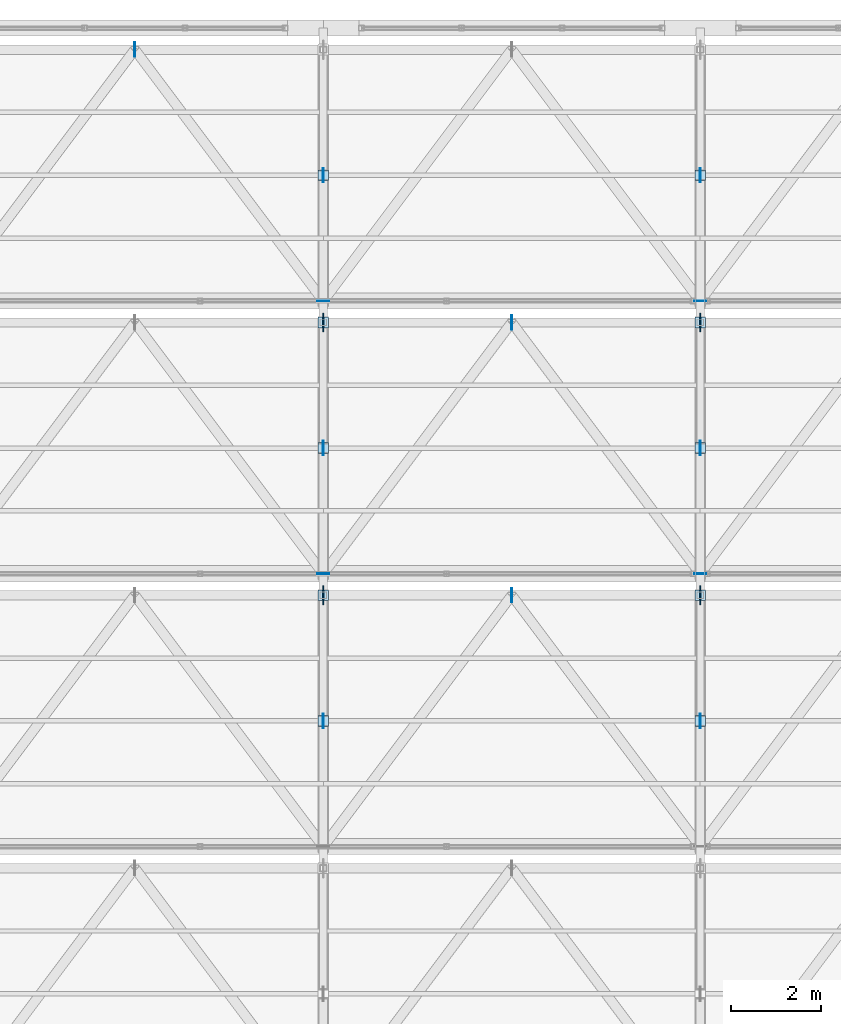
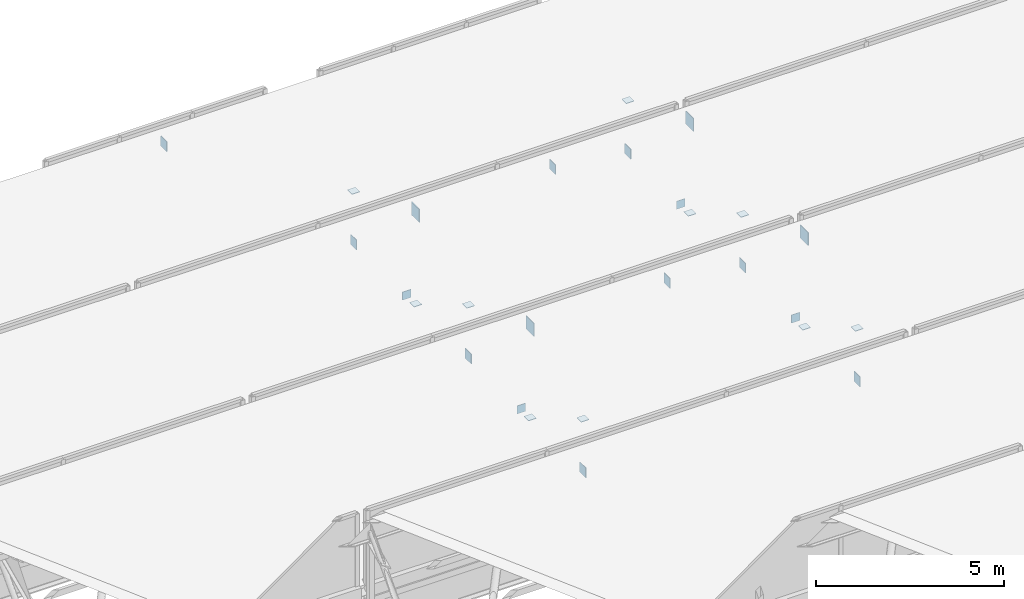
# One storey, part 187 of 217: 27 plates.
"""IFC4 building model written with IfcOpenShell, lengths in metres."""

from ifc_helpers import new_model, si_unit, direction, frame, origin, origin_2d, place, context, subcontext, project, spatial, rectangle, extrude, material, layer, layer_set, type_object, element, save


model = new_model("IFC4")

# Units and contexts
model_context = context("Model", 3, precision=1e-05, world=origin(), true_north=direction((0.0, 1.0)))
body_context = subcontext(model_context, "Body", "Model", "MODEL_VIEW")
ifc_project = project(units=[si_unit("LENGTHUNIT", "METRE"), si_unit("AREAUNIT", "SQUARE_METRE"), si_unit("VOLUMEUNIT", "CUBIC_METRE"), si_unit("PLANEANGLEUNIT", "RADIAN"), si_unit("MASSUNIT", "GRAM", prefix="KILO")], contexts=[model_context])

# Site, building, storey
site_placement = place(None, origin())
site = spatial("IfcSite", under=ifc_project, at=site_placement, CompositionType="ELEMENT")
building_placement = place(site_placement, origin())
building = spatial("IfcBuilding", under=site, at=building_placement, Name="Zuvorla Pavilion Media Centre", CompositionType="ELEMENT")
storey_placement = place(building_placement, frame((0.0, 0.0, 9.60009765625)))
storey = spatial("IfcBuildingStorey", under=building, at=storey_placement, Name="L02", CompositionType="ELEMENT", Elevation=9.60009765625)

# Plates
ifc_material = material(Name="Steel S355", Category="steel")
ifc_layer_1 = layer(ifc_material, 0.01611328125)
ifc_layer_set_1 = layer_set([ifc_layer_1], Name="Steel S355")
plate_type_1 = type_object("IfcPlateType", Name="PLT-CAP-16", PredefinedType="USERDEFINED", material=ifc_layer_set_1)
for number, where, z_axis, x_axis, name in (
    (1, (108.800048828125, 107.840087890625, -1.01025390625), (0.0, 0.0, 1.0), (1.0, 0.0, 0.0), "L02 cap plate CP16 66"),
    (2, (117.199951171875, 107.840087890625, -1.01025390625), (0.0, 0.0, 1.0), (1.0, 0.0, 0.0), "L02 cap plate CP16 68"),
    (3, (108.800048828125, 113.919921875, -1.01025390625), (0.0, 0.0, 1.0), (1.0, 0.0, 0.0), "L02 cap plate CP16 84"),
    (4, (117.199951171875, 113.919921875, -1.01025390625), (0.0, 0.0, 1.0), (1.0, 0.0, 0.0), "L02 cap plate CP16 86"),
):
    element("IfcPlate", number, at=place(storey_placement, frame(where, z_axis=z_axis, x_axis=x_axis)), inside=storey, type_object=plate_type_1, Name=name, ObjectType="CAP_PLATE", PredefinedType="USERDEFINED", context=body_context, shape_type="SweptSolid", body=[
        extrude(rectangle(XDim=0.260009765625, YDim=0.01611328125, at=origin_2d()), origin(), (0.0, 0.0, 1.0), 0.260009765625),
    ])
for number, where, z_axis, x_axis, name in (
    (5, (108.800048828125, 107.360107421875, -0.88818359375), (0.0, 0.0, 1.0), (1.0, 0.0, 0.0), "L02 cap plate CP16 302"),
    (6, (108.800048828125, 104.56005859375, 0.771728515625), (0.0, 0.0, 1.0), (1.0, 0.0, 0.0), "L02 cap plate CP16 304"),
    (7, (117.199951171875, 107.360107421875, -0.88818359375), (0.0, 0.0, 1.0), (1.0, 0.0, 0.0), "L02 cap plate CP16 305"),
    (8, (117.199951171875, 104.56005859375, 0.771728515625), (0.0, 0.0, 1.0), (1.0, 0.0, 0.0), "L02 cap plate CP16 307"),
    (9, (108.800048828125, 113.43994140625, -0.88818359375), (0.0, 0.0, 1.0), (1.0, 0.0, 0.0), "L02 cap plate CP16 337"),
    (10, (108.800048828125, 110.639892578125, 0.771728515625), (0.0, 0.0, 1.0), (1.0, 0.0, 0.0), "L02 cap plate CP16 339"),
    (11, (117.199951171875, 113.43994140625, -0.88818359375), (0.0, 0.0, 1.0), (1.0, 0.0, 0.0), "L02 cap plate CP16 340"),
    (12, (117.199951171875, 110.639892578125, 0.771728515625), (0.0, 0.0, 1.0), (1.0, 0.0, 0.0), "L02 cap plate CP16 342"),
    (13, (108.800048828125, 116.719970703125, 0.771728515625), (0.0, 0.0, 1.0), (1.0, 0.0, 0.0), "L02 cap plate CP16 374"),
    (14, (117.199951171875, 116.719970703125, 0.771728515625), (0.0, 0.0, 1.0), (1.0, 0.0, 0.0), "L02 cap plate CP16 377"),
):
    element("IfcPlate", number, at=place(storey_placement, frame(where, z_axis=z_axis, x_axis=x_axis)), inside=storey, type_object=plate_type_1, Name=name, ObjectType="CAP_PLATE", PredefinedType="USERDEFINED", context=body_context, shape_type="SweptSolid", body=[
        extrude(rectangle(XDim=0.239990234375, YDim=0.239990234375, at=origin_2d()), origin(), (0.0, 0.0, 1.0), 0.01611328125),
    ])
ifc_layer_2 = layer(ifc_material, 0.02001953125)
ifc_layer_set_2 = layer_set([ifc_layer_2], Name="Steel S355")
plate_type_2 = type_object("IfcPlateType", Name="PLT-GUS-20", PredefinedType="USERDEFINED", material=ifc_layer_set_2)
for number, where, z_axis, x_axis, name in (
    (15, (108.800048828125, 104.56005859375, -1.0400390625), (0.0, 0.0, 1.0), (1.0, 0.0, 0.0), "L02 gusset plate GP20 303"),
    (16, (117.199951171875, 104.56005859375, -1.0400390625), (0.0, 0.0, 1.0), (1.0, 0.0, 0.0), "L02 gusset plate GP20 306"),
    (17, (113.0, 107.360107421875, 1.919921875), (0.0, 0.0, 1.0), (1.0, 0.0, 0.0), "L02 gusset plate GP20 319"),
    (18, (108.800048828125, 110.639892578125, -1.0400390625), (0.0, 0.0, 1.0), (1.0, 0.0, 0.0), "L02 gusset plate GP20 338"),
    (19, (117.199951171875, 110.639892578125, -1.0400390625), (0.0, 0.0, 1.0), (1.0, 0.0, 0.0), "L02 gusset plate GP20 341"),
    (20, (113.0, 113.43994140625, 1.919921875), (0.0, 0.0, 1.0), (1.0, 0.0, 0.0), "L02 gusset plate GP20 354"),
    (21, (108.800048828125, 116.719970703125, -1.0400390625), (0.0, 0.0, 1.0), (1.0, 0.0, 0.0), "L02 gusset plate GP20 373"),
    (22, (117.199951171875, 116.719970703125, -1.0400390625), (0.0, 0.0, 1.0), (1.0, 0.0, 0.0), "L02 gusset plate GP20 376"),
    (23, (104.60009765625, 119.52001953125, 1.919921875), (0.0, 0.0, 1.0), (1.0, 0.0, 0.0), "L02 gusset plate GP20 388"),
):
    element("IfcPlate", number, at=place(storey_placement, frame(where, z_axis=z_axis, x_axis=x_axis)), inside=storey, type_object=plate_type_2, Name=name, ObjectType="GUSSET_PLATE", PredefinedType="USERDEFINED", context=body_context, shape_type="SweptSolid", body=[
        extrude(rectangle(XDim=0.02001953125, YDim=0.320068359375, at=origin_2d()), origin(), (0.0, 0.0, 1.0), 0.320068359375),
    ])
ifc_layer_3 = layer(ifc_material, 0.02490234375)
ifc_layer_set_3 = layer_set([ifc_layer_3], Name="Steel S355")
plate_type_3 = type_object("IfcPlateType", Name="PLT-GUS-25", PredefinedType="USERDEFINED", material=ifc_layer_set_3)
for number, where, z_axis, x_axis, name in (
    (24, (108.800048828125, 107.360107421875, 1.87353515625), (0.0, 0.0, 1.0), (1.0, 0.0, 0.0), "L02 gusset plate GP25 47"),
    (25, (117.199951171875, 107.360107421875, 1.87353515625), (0.0, 0.0, 1.0), (1.0, 0.0, 0.0), "L02 gusset plate GP25 49"),
    (26, (108.800048828125, 113.43994140625, 1.87353515625), (0.0, 0.0, 1.0), (1.0, 0.0, 0.0), "L02 gusset plate GP25 65"),
    (27, (117.199951171875, 113.43994140625, 1.87353515625), (0.0, 0.0, 1.0), (1.0, 0.0, 0.0), "L02 gusset plate GP25 67"),
):
    element("IfcPlate", number, at=place(storey_placement, frame(where, z_axis=z_axis, x_axis=x_axis)), inside=storey, type_object=plate_type_3, Name=name, ObjectType="GUSSET_PLATE", PredefinedType="USERDEFINED", context=body_context, shape_type="SweptSolid", body=[
        extrude(rectangle(XDim=0.02490234375, YDim=0.419921875, at=origin_2d()), origin(), (0.0, 0.0, 1.0), 0.419921875),
    ])

save(model, "model.ifc")
